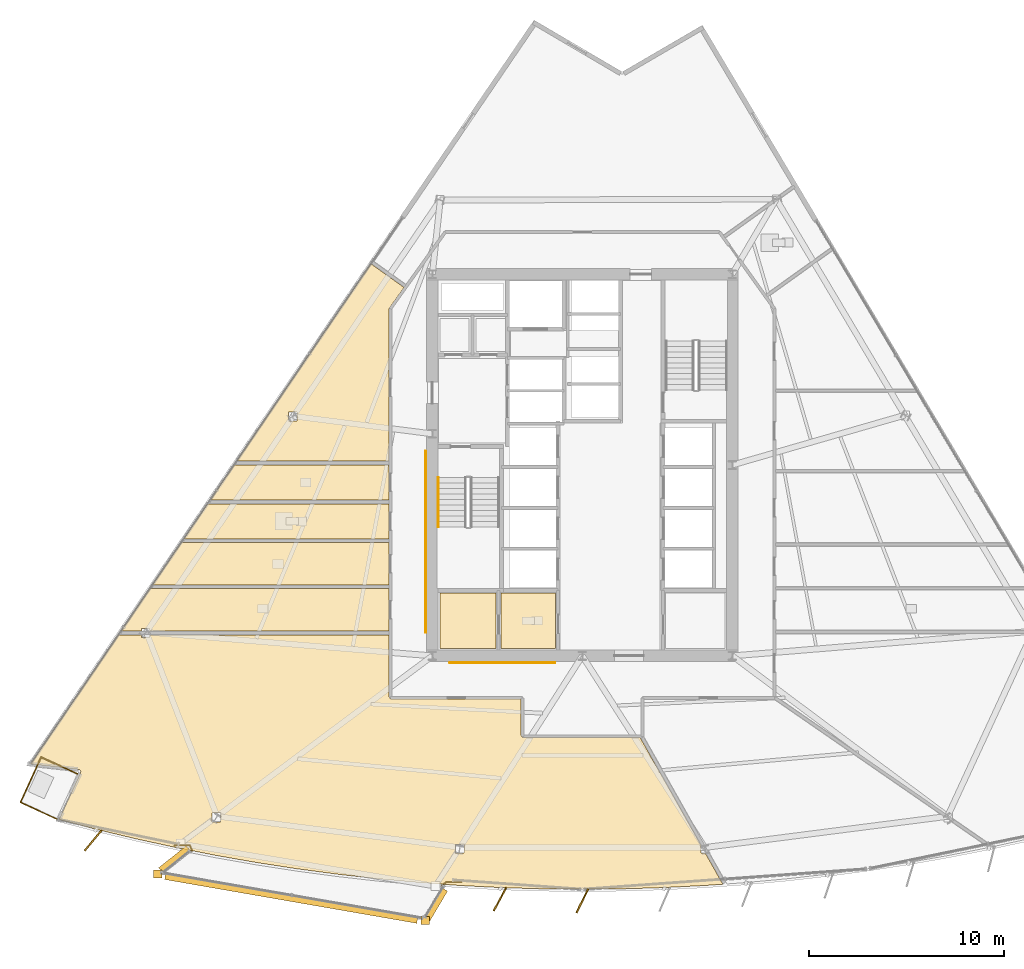
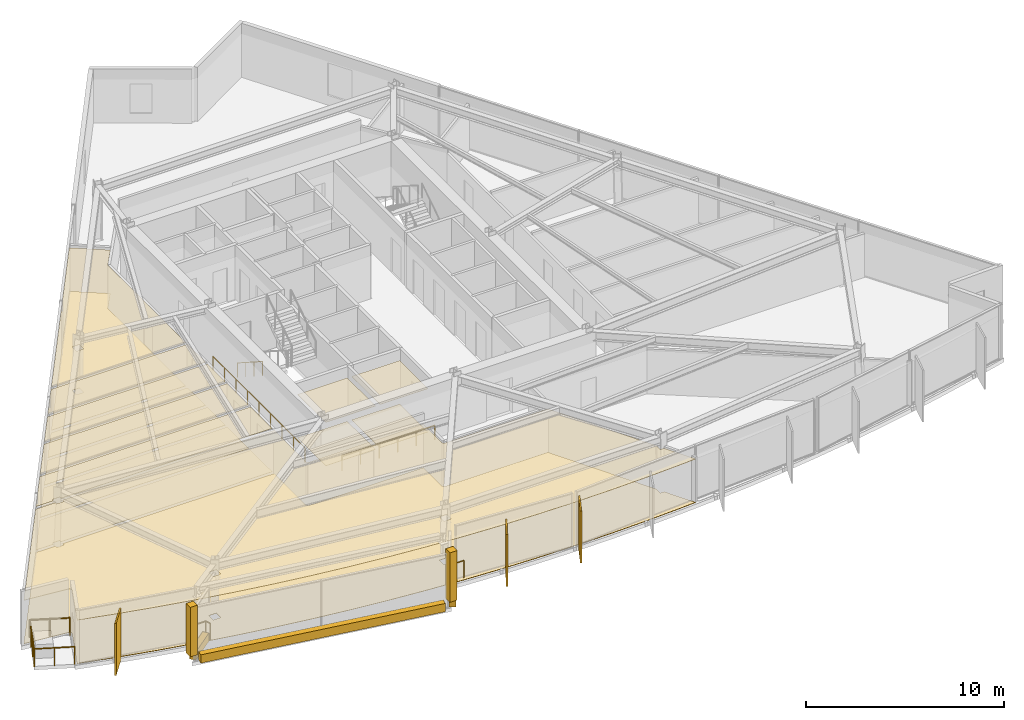
# One storey, part 11 of 15: 21 coverings, 8 railings, 3 shading devices.
"""IFC4 building model written with IfcOpenShell, lengths in metres."""

from ifc_helpers import new_model, si_unit, direction, frame, origin, origin_2d, place, context, subcontext, project, spatial, polyline, rectangle, circle, outline, extrude, material, layer, layer_set, type_object, element, save


model = new_model("IFC4")

# Units and contexts
model_context = context("Model", 3, precision=1e-05, world=origin(), true_north=direction((0.0, 1.0)))
body_context = subcontext(model_context, "Body", "Model", "MODEL_VIEW")
ifc_project = project(units=[si_unit("LENGTHUNIT", "METRE"), si_unit("AREAUNIT", "SQUARE_METRE"), si_unit("VOLUMEUNIT", "CUBIC_METRE"), si_unit("PLANEANGLEUNIT", "RADIAN"), si_unit("MASSUNIT", "GRAM", prefix="KILO")], contexts=[model_context])

# Site, building, storey
site_placement = place(None, origin())
site = spatial("IfcSite", under=ifc_project, at=site_placement, CompositionType="ELEMENT")
building_placement = place(site_placement, origin())
building = spatial("IfcBuilding", under=site, at=building_placement, Name="Savorim Split Tower", CompositionType="ELEMENT")
storey_placement = place(building_placement, frame((0.0, 0.0, 104.10009765625)))
storey = spatial("IfcBuildingStorey", under=building, at=storey_placement, Name="L27", CompositionType="ELEMENT", Elevation=104.10009765625)

# Coverings
ifc_material_1 = material(Name="Mineral Fibre Acoustic Ceiling")
ifc_layer_1 = layer(ifc_material_1, 0.02490234375)
ifc_layer_set_1 = layer_set([ifc_layer_1], Name="COV-CEIL-25")
covering_type_1 = type_object("IfcCoveringType", Name="COV-CEIL-25", PredefinedType="CEILING", material=ifc_layer_set_1)
covering_1_placement = place(storey_placement, frame((0.0, 0.0, 2.669921875)))
element("IfcCovering", 1, at=covering_1_placement, inside=storey, type_object=covering_type_1, Name="L27 Housekeeping Store Acoustic Ceiling", PredefinedType="CEILING", context=body_context, shape_type="SweptSolid", body=[
    extrude(outline(polyline([(-7.320068359375, -6.179931640625), (-7.320068359375, -9.02001953125), (-4.429931640625, -9.02001953125), (-4.429931640625, -6.179931640625), (-7.320068359375, -6.179931640625)])), origin(), (0.0, 0.0, 1.0), 0.02490234375),
])
covering_2_placement = place(storey_placement, frame((0.0, 0.0, 2.669921875)))
element("IfcCovering", 2, at=covering_2_placement, inside=storey, type_object=covering_type_1, Name="L27 Accessible WC Acoustic Ceiling", PredefinedType="CEILING", context=body_context, shape_type="SweptSolid", body=[
    extrude(outline(polyline([(-4.169921875, -6.179931640625), (-4.169921875, -9.02001953125), (-1.3798828125, -9.02001953125), (-1.3798828125, -6.179931640625), (-4.169921875, -6.179931640625)])), origin(), (0.0, 0.0, 1.0), 0.02490234375),
])
covering_3_placement = place(storey_placement, frame((0.0, 0.0, 2.669921875)))
element("IfcCovering", 3, at=covering_3_placement, inside=storey, type_object=covering_type_1, Name="L27 Shared Kitchen Acoustic Ceiling", PredefinedType="CEILING", context=body_context, shape_type="SweptSolid", body=[
    extrude(outline(polyline([(-17.876220703125, 0.407470703125), (-19.106201171875, -1.400634765625), (-9.919921875, -1.400634765625), (-9.919921875, 0.407470703125), (-17.876220703125, 0.407470703125)])), origin(), (0.0, 0.0, 1.0), 0.02490234375),
])
covering_4_placement = place(storey_placement, frame((0.0, 0.0, 2.669921875)))
element("IfcCovering", 4, at=covering_4_placement, inside=storey, type_object=covering_type_1, Name="L27 Shared Bathroom Acoustic Ceiling", PredefinedType="CEILING", context=body_context, shape_type="SweptSolid", body=[
    extrude(outline(polyline([(-19.2353515625, -1.5908203125), (-20.465576171875, -3.398681640625), (-9.919921875, -3.398681640625), (-9.919921875, -1.590576171875), (-19.2353515625, -1.5908203125)])), origin(), (0.0, 0.0, 1.0), 0.02490234375),
])
covering_5_placement = place(storey_placement, frame((0.0, 0.0, 2.669921875)))
element("IfcCovering", 5, at=covering_5_placement, inside=storey, type_object=covering_type_1, Name="L27 Community Laundry Room Acoustic Ceiling", PredefinedType="CEILING", context=body_context, shape_type="SweptSolid", body=[
    extrude(outline(polyline([(-20.5947265625, -3.5888671875), (-22.073486328125, -5.762451171875), (-9.919921875, -5.762451171875), (-9.919921875, -3.5888671875), (-20.5947265625, -3.5888671875)])), origin(), (0.0, 0.0, 1.0), 0.02490234375),
])
covering_6_placement = place(storey_placement, frame((0.0, 0.0, 2.669921875)))
element("IfcCovering", 6, at=covering_6_placement, inside=storey, type_object=covering_type_1, Name="L27 Community Laundry Room Acoustic Ceiling", PredefinedType="CEILING", context=body_context, shape_type="SweptSolid", body=[
    extrude(outline(polyline([(-22.216796875, -7.998779296875), (-22.216796875, -8.126220703125), (-9.919921875, -8.126220703125), (-9.919921875, -5.952392578125), (-22.20263671875, -5.952392578125), (-23.681396484375, -8.126220703125), (-22.645751953125, -8.126220703125), (-22.645751953125, -7.998779296875), (-22.216796875, -7.998779296875)])), origin(), (0.0, 0.0, 1.0), 0.02490234375),
])
covering_7_placement = place(storey_placement, frame((0.0, 0.0, 2.669921875)))
element("IfcCovering", 7, at=covering_7_placement, inside=storey, type_object=covering_type_1, Name="L27 Co-Working Commons Acoustic Ceiling", PredefinedType="CEILING", context=body_context, shape_type="SweptSolid", body=[
    extrude(outline(polyline([(-25.751953125, -15.339111328125), (-25.751708984375, -15.35107421875), (-25.752685546875, -15.36279296875), (-25.7548828125, -15.374755859375), (-25.758056640625, -15.385986328125), (-25.7626953125, -15.397216796875), (-26.867919921875, -17.80322265625), (-24.9716796875, -18.29931640625), (-22.927490234375, -18.789306640625), (-20.873779296875, -19.237548828125), (-18.8115234375, -19.6435546875), (-16.7412109375, -20.00732421875), (-14.6640625, -20.32861328125), (-12.58056640625, -20.607421875), (-10.49169921875, -20.843505859375), (-8.398681640625, -21.036865234375), (-6.302001953125, -21.187255859375), (-4.202880859375, -21.294921875), (-2.101806640625, -21.359375), (0.0, -21.380859375), (2.101806640625, -21.359375), (4.202880859375, -21.294921875), (6.302001953125, -21.187255859375), (7.21435546875, -21.121826171875), (6.313232421875, -19.5244140625), (6.08251953125, -19.5244140625), (6.08251953125, -19.114990234375), (2.983154296875, -13.6201171875), (2.96630859375, -13.590087890625), (-3.0, -13.590087890625), (-3.013671875, -13.58935546875), (-3.02734375, -13.58740234375), (-3.04052734375, -13.583984375), (-3.0537109375, -13.579345703125), (-3.06591796875, -13.573486328125), (-3.077880859375, -13.56640625), (-3.0888671875, -13.55810546875), (-3.09912109375, -13.549072265625), (-3.108154296875, -13.538818359375), (-3.116455078125, -13.52783203125), (-3.12353515625, -13.51611328125), (-3.12939453125, -13.503662109375), (-3.134033203125, -13.490478515625), (-3.13720703125, -13.477294921875), (-3.139404296875, -13.463623046875), (-3.139892578125, -13.449951171875), (-3.139892578125, -11.6201171875), (-9.780029296875, -11.6201171875), (-9.793701171875, -11.619384765625), (-9.807373046875, -11.6171875), (-9.820556640625, -11.614013671875), (-9.83349609375, -11.609375), (-9.845947265625, -11.603515625), (-9.85791015625, -11.596435546875), (-9.868896484375, -11.588134765625), (-9.87890625, -11.5791015625), (-9.88818359375, -11.56884765625), (-9.896484375, -11.557861328125), (-9.903564453125, -11.5458984375), (-9.9091796875, -11.53369140625), (-9.9140625, -11.5205078125), (-9.917236328125, -11.50732421875), (-9.919189453125, -11.49365234375), (-9.919921875, -11.47998046875), (-9.919921875, -8.31640625), (-22.216796875, -8.31640625), (-22.216796875, -8.44384765625), (-22.645751953125, -8.44384765625), (-22.645751953125, -8.31640625), (-23.685546875, -8.31640625), (-23.780517578125, -8.31640625), (-23.780517578125, -8.27197265625), (-28.3251953125, -14.952392578125), (-25.8583984375, -15.227783203125), (-25.846435546875, -15.229736328125), (-25.8349609375, -15.23291015625), (-25.82373046875, -15.237060546875), (-25.81298828125, -15.2421875), (-25.802978515625, -15.248779296875), (-25.79345703125, -15.256103515625), (-25.784912109375, -15.26416015625), (-25.777099609375, -15.273193359375), (-25.770263671875, -15.282958984375), (-25.764404296875, -15.293212890625), (-25.759521484375, -15.30419921875), (-25.755859375, -15.315673828125), (-25.75341796875, -15.3271484375), (-25.751953125, -15.339111328125)]), holes=[polyline([(-19.002685546875, -17.920654296875), (-18.57373046875, -17.920654296875), (-18.57373046875, -17.4755859375), (-19.002685546875, -17.4755859375), (-19.002685546875, -17.920654296875)]), polyline([(-6.511474609375, -19.5244140625), (-6.08251953125, -19.5244140625), (-6.08251953125, -19.079345703125), (-6.511474609375, -19.079345703125), (-6.511474609375, -19.5244140625)])]), origin(), (0.0, 0.0, 1.0), 0.02490234375),
])
covering_8_placement = place(storey_placement, frame((0.0, 0.0, 2.669921875)))
element("IfcCovering", 8, at=covering_8_placement, inside=storey, type_object=covering_type_1, Name="L27 Quiet Study Room Acoustic Ceiling", PredefinedType="CEILING", context=body_context, shape_type="SweptSolid", body=[
    extrude(outline(polyline([(-9.908203125, 8.456298828125), (-9.901611328125, 8.46923828125), (-9.893798828125, 8.4814453125), (-9.15283203125, 9.515625), (-10.851806640625, 10.73291015625), (-17.746826171875, 0.597412109375), (-9.919921875, 0.597412109375), (-9.919921875, 8.39990234375), (-9.919189453125, 8.41455078125), (-9.9169921875, 8.4287109375), (-9.913330078125, 8.44287109375), (-9.908203125, 8.456298828125)]), holes=[polyline([(-15.085693359375, 3.1142578125), (-15.085693359375, 2.669189453125), (-14.65673828125, 2.669189453125), (-14.65673828125, 3.1142578125), (-15.085693359375, 3.1142578125)])]), origin(), (0.0, 0.0, 1.0), 0.02490234375),
])
ifc_material_2 = material(Name="Porcelain Stoneware Flooring", Category="masonry")
ifc_layer_2 = layer(ifc_material_2, 0.02001953125)
ifc_layer_set_2 = layer_set([ifc_layer_2], Name="COV-FLOR-20")
covering_type_2 = type_object("IfcCoveringType", Name="COV-FLOR-20", PredefinedType="FLOORING", material=ifc_layer_set_2)
covering_9_placement = place(storey_placement, origin())
element("IfcCovering", 9, at=covering_9_placement, inside=storey, type_object=covering_type_2, Name="L27 Housekeeping Store Porcelain Flooring", PredefinedType="FLOORING", context=body_context, shape_type="SweptSolid", body=[
    extrude(outline(polyline([(-7.320068359375, -6.179931640625), (-7.320068359375, -9.02001953125), (-4.429931640625, -9.02001953125), (-4.429931640625, -6.179931640625), (-7.320068359375, -6.179931640625)])), origin(), (0.0, 0.0, 1.0), 0.02001953125),
])
covering_10_placement = place(storey_placement, origin())
element("IfcCovering", 10, at=covering_10_placement, inside=storey, type_object=covering_type_2, Name="L27 Accessible WC Porcelain Flooring", PredefinedType="FLOORING", context=body_context, shape_type="SweptSolid", body=[
    extrude(outline(polyline([(-4.169921875, -6.179931640625), (-4.169921875, -9.02001953125), (-1.3798828125, -9.02001953125), (-1.3798828125, -6.179931640625), (-4.169921875, -6.179931640625)])), origin(), (0.0, 0.0, 1.0), 0.02001953125),
])
covering_11_placement = place(storey_placement, origin())
element("IfcCovering", 11, at=covering_11_placement, inside=storey, type_object=covering_type_2, Name="L27 Shared Kitchen Porcelain Flooring", PredefinedType="FLOORING", context=body_context, shape_type="SweptSolid", body=[
    extrude(outline(polyline([(-17.876220703125, 0.407470703125), (-19.106201171875, -1.400634765625), (-9.919921875, -1.400634765625), (-9.919921875, 0.407470703125), (-17.876220703125, 0.407470703125)])), origin(), (0.0, 0.0, 1.0), 0.02001953125),
])
covering_12_placement = place(storey_placement, origin())
element("IfcCovering", 12, at=covering_12_placement, inside=storey, type_object=covering_type_2, Name="L27 Shared Bathroom Porcelain Flooring", PredefinedType="FLOORING", context=body_context, shape_type="SweptSolid", body=[
    extrude(outline(polyline([(-19.2353515625, -1.5908203125), (-20.465576171875, -3.398681640625), (-9.919921875, -3.398681640625), (-9.919921875, -1.590576171875), (-19.2353515625, -1.5908203125)])), origin(), (0.0, 0.0, 1.0), 0.02001953125),
])
covering_13_placement = place(storey_placement, origin())
element("IfcCovering", 13, at=covering_13_placement, inside=storey, type_object=covering_type_2, Name="L27 Community Laundry Room Porcelain Flooring", PredefinedType="FLOORING", context=body_context, shape_type="SweptSolid", body=[
    extrude(outline(polyline([(-20.5947265625, -3.5888671875), (-22.073486328125, -5.762451171875), (-9.919921875, -5.762451171875), (-9.919921875, -3.5888671875), (-20.5947265625, -3.5888671875)])), origin(), (0.0, 0.0, 1.0), 0.02001953125),
])
covering_14_placement = place(storey_placement, origin())
element("IfcCovering", 14, at=covering_14_placement, inside=storey, type_object=covering_type_2, Name="L27 Community Laundry Room Porcelain Flooring", PredefinedType="FLOORING", context=body_context, shape_type="SweptSolid", body=[
    extrude(outline(polyline([(-22.216796875, -7.998779296875), (-22.216796875, -8.126220703125), (-9.919921875, -8.126220703125), (-9.919921875, -5.952392578125), (-22.20263671875, -5.952392578125), (-23.681396484375, -8.126220703125), (-22.645751953125, -8.126220703125), (-22.645751953125, -7.998779296875), (-22.216796875, -7.998779296875)])), origin(), (0.0, 0.0, 1.0), 0.02001953125),
])
covering_15_placement = place(storey_placement, origin())
element("IfcCovering", 15, at=covering_15_placement, inside=storey, type_object=covering_type_2, Name="L27 Co-Working Commons Porcelain Flooring", PredefinedType="FLOORING", context=body_context, shape_type="SweptSolid", body=[
    extrude(outline(polyline([(-25.751953125, -15.339111328125), (-25.751708984375, -15.35107421875), (-25.752685546875, -15.36279296875), (-25.7548828125, -15.374755859375), (-25.758056640625, -15.385986328125), (-25.7626953125, -15.397216796875), (-26.867919921875, -17.80322265625), (-24.9716796875, -18.29931640625), (-22.927490234375, -18.789306640625), (-20.873779296875, -19.237548828125), (-18.8115234375, -19.6435546875), (-16.7412109375, -20.00732421875), (-14.6640625, -20.32861328125), (-12.58056640625, -20.607421875), (-10.49169921875, -20.843505859375), (-8.398681640625, -21.036865234375), (-6.302001953125, -21.187255859375), (-4.202880859375, -21.294921875), (-2.101806640625, -21.359375), (0.0, -21.380859375), (2.101806640625, -21.359375), (4.202880859375, -21.294921875), (6.302001953125, -21.187255859375), (7.21435546875, -21.121826171875), (6.313232421875, -19.5244140625), (6.08251953125, -19.5244140625), (6.08251953125, -19.114990234375), (2.983154296875, -13.6201171875), (2.96630859375, -13.590087890625), (-3.0, -13.590087890625), (-3.013671875, -13.58935546875), (-3.02734375, -13.58740234375), (-3.04052734375, -13.583984375), (-3.0537109375, -13.579345703125), (-3.06591796875, -13.573486328125), (-3.077880859375, -13.56640625), (-3.0888671875, -13.55810546875), (-3.09912109375, -13.549072265625), (-3.108154296875, -13.538818359375), (-3.116455078125, -13.52783203125), (-3.12353515625, -13.51611328125), (-3.12939453125, -13.503662109375), (-3.134033203125, -13.490478515625), (-3.13720703125, -13.477294921875), (-3.139404296875, -13.463623046875), (-3.139892578125, -13.449951171875), (-3.139892578125, -11.6201171875), (-9.780029296875, -11.6201171875), (-9.793701171875, -11.619384765625), (-9.807373046875, -11.6171875), (-9.820556640625, -11.614013671875), (-9.83349609375, -11.609375), (-9.845947265625, -11.603515625), (-9.85791015625, -11.596435546875), (-9.868896484375, -11.588134765625), (-9.87890625, -11.5791015625), (-9.88818359375, -11.56884765625), (-9.896484375, -11.557861328125), (-9.903564453125, -11.5458984375), (-9.9091796875, -11.53369140625), (-9.9140625, -11.5205078125), (-9.917236328125, -11.50732421875), (-9.919189453125, -11.49365234375), (-9.919921875, -11.47998046875), (-9.919921875, -8.31640625), (-22.216796875, -8.31640625), (-22.216796875, -8.44384765625), (-22.645751953125, -8.44384765625), (-22.645751953125, -8.31640625), (-23.685546875, -8.31640625), (-23.780517578125, -8.31640625), (-23.780517578125, -8.27197265625), (-28.3251953125, -14.952392578125), (-25.8583984375, -15.227783203125), (-25.846435546875, -15.229736328125), (-25.8349609375, -15.23291015625), (-25.82373046875, -15.237060546875), (-25.81298828125, -15.2421875), (-25.802978515625, -15.248779296875), (-25.79345703125, -15.256103515625), (-25.784912109375, -15.26416015625), (-25.777099609375, -15.273193359375), (-25.770263671875, -15.282958984375), (-25.764404296875, -15.293212890625), (-25.759521484375, -15.30419921875), (-25.755859375, -15.315673828125), (-25.75341796875, -15.3271484375), (-25.751953125, -15.339111328125)]), holes=[polyline([(-19.002685546875, -17.920654296875), (-18.57373046875, -17.920654296875), (-18.57373046875, -17.4755859375), (-19.002685546875, -17.4755859375), (-19.002685546875, -17.920654296875)]), polyline([(-6.511474609375, -19.5244140625), (-6.08251953125, -19.5244140625), (-6.08251953125, -19.079345703125), (-6.511474609375, -19.079345703125), (-6.511474609375, -19.5244140625)])]), origin(), (0.0, 0.0, 1.0), 0.02001953125),
])
covering_16_placement = place(storey_placement, origin())
element("IfcCovering", 16, at=covering_16_placement, inside=storey, type_object=covering_type_2, Name="L27 Quiet Study Room Porcelain Flooring", PredefinedType="FLOORING", context=body_context, shape_type="SweptSolid", body=[
    extrude(outline(polyline([(-9.908203125, 8.456298828125), (-9.901611328125, 8.46923828125), (-9.893798828125, 8.4814453125), (-9.15283203125, 9.515625), (-10.851806640625, 10.73291015625), (-17.746826171875, 0.597412109375), (-9.919921875, 0.597412109375), (-9.919921875, 8.39990234375), (-9.919189453125, 8.41455078125), (-9.9169921875, 8.4287109375), (-9.913330078125, 8.44287109375), (-9.908203125, 8.456298828125)]), holes=[polyline([(-15.085693359375, 3.1142578125), (-15.085693359375, 2.669189453125), (-14.65673828125, 2.669189453125), (-14.65673828125, 3.1142578125), (-15.085693359375, 3.1142578125)])]), origin(), (0.0, 0.0, 1.0), 0.02001953125),
])
ifc_material_3 = material(Name="White Porcelain Architectural Cladding")
ifc_layer_3 = layer(ifc_material_3, 0.139892578125)
ifc_layer_set_3 = layer_set([ifc_layer_3], Name="COV-FRM-WHITE")
covering_type_3 = type_object("IfcCoveringType", Name="COV-FRM-WHITE", PredefinedType="CLADDING", material=ifc_layer_set_3)
covering_17_placement = place(storey_placement, frame((0.0, 0.0, 0.010009765625)))
element("IfcCovering", 17, at=covering_17_placement, inside=storey, type_object=covering_type_3, Name="L27 Cantilevered Lounge White Lower Frame Band W", PredefinedType="CLADDING", context=body_context, shape_type="SweptSolid", body=[
    extrude(outline(polyline([(-20.34033203125, -19.155517578125), (-21.75, -20.27490234375), (-21.53857421875, -20.541259765625), (-20.12890625, -19.421875), (-20.34033203125, -19.155517578125)])), origin(), (0.0, 0.0, 1.0), 0.510009765625),
])
covering_18_placement = place(storey_placement, frame((0.0, 0.0, 0.010009765625)))
element("IfcCovering", 18, at=covering_18_placement, inside=storey, type_object=covering_type_3, Name="L27 Cantilevered Lounge White Lower Frame Band F", PredefinedType="CLADDING", context=body_context, shape_type="SweptSolid", body=[
    extrude(outline(polyline([(-21.44482421875, -20.8818359375), (-8.500732421875, -23.130859375), (-8.4423828125, -22.7958984375), (-21.38671875, -20.546875), (-21.44482421875, -20.8818359375)])), origin(), (0.0, 0.0, 1.0), 0.510009765625),
])
covering_19_placement = place(storey_placement, frame((0.0, 0.0, 0.010009765625)))
element("IfcCovering", 19, at=covering_19_placement, inside=storey, type_object=covering_type_3, Name="L27 Cantilevered Lounge White Lower Frame Band E", PredefinedType="CLADDING", context=body_context, shape_type="SweptSolid", body=[
    extrude(outline(polyline([(-7.8388671875, -23.026123046875), (-6.919677734375, -21.478759765625), (-7.2119140625, -21.304931640625), (-8.131103515625, -22.8525390625), (-7.8388671875, -23.026123046875)])), origin(), (0.0, 0.0, 1.0), 0.510009765625),
])
covering_20_placement = place(storey_placement, frame((0.0, 0.0, 0.539794921875)))
element("IfcCovering", 20, at=covering_20_placement, inside=storey, type_object=covering_type_3, Name="L27 Cantilevered Lounge White Frame Corner Post 1", PredefinedType="CLADDING", context=body_context, shape_type="SweptSolid", body=[
    extrude(outline(polyline([(-22.01123046875, -20.806396484375), (-21.59130859375, -20.806396484375), (-21.59130859375, -20.386474609375), (-22.01123046875, -20.386474609375), (-22.01123046875, -20.806396484375)])), origin(), (0.0, 0.0, 1.0), 3.050048828125),
])
covering_21_placement = place(storey_placement, frame((0.0, 0.0, 0.539794921875)))
element("IfcCovering", 21, at=covering_21_placement, inside=storey, type_object=covering_type_3, Name="L27 Cantilevered Lounge White Frame Corner Post 2", PredefinedType="CLADDING", context=body_context, shape_type="SweptSolid", body=[
    extrude(outline(polyline([(-8.27880859375, -23.192626953125), (-7.85888671875, -23.192626953125), (-7.85888671875, -22.772705078125), (-8.27880859375, -22.772705078125), (-8.27880859375, -23.192626953125)])), origin(), (0.0, 0.0, 1.0), 3.050048828125),
])

# Railings
ifc_material_4 = material(Name="Galvanised Painted Steel Balustrade", Category="steel")
railing_type_1 = type_object("IfcRailingType", Name="RLG-BAL-1100", PredefinedType="BALUSTRADE", material=ifc_material_4)
railing_1_placement = place(storey_placement, frame((-20.9208984375, -19.128173828125, 0.0)))
element("IfcRailing", 22, at=railing_1_placement, inside=storey, type_object=railing_type_1, Name="L27 Cantilevered Lounge West Edge Closure Guard", PredefinedType="BALUSTRADE", context=body_context, shape_type="SweptSolid", body=[
    extrude(circle(Radius=0.02392578125, at=origin_2d()), frame((0.0, 0.0, 1.076171875), z_axis=(1.0, 0.0, 0.0), x_axis=(0.0, 1.0, 0.0)), (0.0, 0.0, 1.0), 0.780029296875),
    extrude(circle(Radius=0.02392578125, at=origin_2d()), frame((0.780029296875, 0.0, 1.076171875), z_axis=(0.336493515152, -0.941685783189, 0.0), x_axis=(0.941685783189, 0.336493515152, 0.0)), (0.0, 0.0, 1.0), 0.29541015625),
    extrude(circle(Radius=0.02099609375, at=origin_2d()), origin(), (0.0, 0.0, 1.0), 1.052001953125),
    extrude(circle(Radius=0.02099609375, at=origin_2d()), frame((0.780029296875, 0.0, 0.0)), (0.0, 0.0, 1.0), 1.052001953125),
    extrude(circle(Radius=0.02099609375, at=origin_2d()), frame((0.87939453125, -0.278076171875, 0.0)), (0.0, 0.0, 1.0), 1.052001953125),
])
railing_2_placement = place(storey_placement, frame((-7.212890625, -21.177734375, 0.0)))
element("IfcRailing", 23, at=railing_2_placement, inside=storey, type_object=railing_type_1, Name="L27 Cantilevered Lounge East Edge Closure Guard", PredefinedType="BALUSTRADE", context=body_context, shape_type="SweptSolid", body=[
    extrude(circle(Radius=0.02392578125, at=origin_2d()), frame((0.0, 0.0, 1.076171875), z_axis=(0.804032223683, 0.59458572408, 0.0), x_axis=(-0.59458572408, 0.804032223683, 0.0)), (0.0, 0.0, 1.0), 0.281982421875),
    extrude(circle(Radius=0.02392578125, at=origin_2d()), frame((0.226806640625, 0.167724609375, 1.076171875), z_axis=(1.0, 0.0, 0.0), x_axis=(0.0, 1.0, 0.0)), (0.0, 0.0, 1.0), 0.780029296875),
    extrude(circle(Radius=0.02099609375, at=origin_2d()), origin(), (0.0, 0.0, 1.0), 1.052001953125),
    extrude(circle(Radius=0.02099609375, at=origin_2d()), frame((0.226806640625, 0.167724609375, 0.0)), (0.0, 0.0, 1.0), 1.052001953125),
    extrude(circle(Radius=0.02099609375, at=origin_2d()), frame((1.0068359375, 0.167724609375, 0.0)), (0.0, 0.0, 1.0), 1.052001953125),
])
railing_3_placement = place(storey_placement, frame((-26.98681640625, -17.774169921875, 0.0)))
element("IfcRailing", 24, at=railing_3_placement, inside=storey, type_object=railing_type_1, Name="L27 Tree Balcony Guardrail SW-1", PredefinedType="BALUSTRADE", context=body_context, shape_type="SweptSolid", body=[
    extrude(circle(Radius=0.02392578125, at=origin_2d()), frame((0.0, 0.0, 1.076171875), z_axis=(-0.908662190505, 0.417532062898, 0.0), x_axis=(-0.417532062898, -0.908662190505, 0.0)), (0.0, 0.0, 1.0), 2.050048828125),
    extrude(circle(Radius=0.02099609375, at=origin_2d()), origin(), (0.0, 0.0, 1.0), 1.052001953125),
    extrude(circle(Radius=0.02099609375, at=origin_2d()), frame((-0.931396484375, 0.427978515625, 0.0)), (0.0, 0.0, 1.0), 1.052001953125),
    extrude(circle(Radius=0.02099609375, at=origin_2d()), frame((-1.86279296875, 0.85595703125, 0.0)), (0.0, 0.0, 1.0), 1.052001953125),
])
railing_4_placement = place(storey_placement, frame((-28.849609375, -16.918212890625, 0.0)))
element("IfcRailing", 25, at=railing_4_placement, inside=storey, type_object=railing_type_1, Name="L27 Tree Balcony Guardrail SW-2", PredefinedType="BALUSTRADE", context=body_context, shape_type="SweptSolid", body=[
    extrude(circle(Radius=0.02392578125, at=origin_2d()), frame((0.0, 0.0, 1.076171875), z_axis=(0.417534341192, 0.90866114362, 0.0), x_axis=(-0.90866114362, 0.417534341192, 0.0)), (0.0, 0.0, 1.0), 2.551025390625),
    extrude(circle(Radius=0.02099609375, at=origin_2d()), origin(), (0.0, 0.0, 1.0), 1.052001953125),
    extrude(circle(Radius=0.02099609375, at=origin_2d()), frame((0.35498046875, 0.772705078125, 0.0)), (0.0, 0.0, 1.0), 1.052001953125),
    extrude(circle(Radius=0.02099609375, at=origin_2d()), frame((0.710205078125, 1.54541015625, 0.0)), (0.0, 0.0, 1.0), 1.052001953125),
    extrude(circle(Radius=0.02099609375, at=origin_2d()), frame((1.065185546875, 2.318115234375, 0.0)), (0.0, 0.0, 1.0), 1.052001953125),
])
railing_5_placement = place(storey_placement, frame((-27.784423828125, -14.60009765625, 0.0)))
element("IfcRailing", 26, at=railing_5_placement, inside=storey, type_object=railing_type_1, Name="L27 Tree Balcony Guardrail SW-3", PredefinedType="BALUSTRADE", context=body_context, shape_type="SweptSolid", body=[
    extrude(circle(Radius=0.02392578125, at=origin_2d()), frame((0.0, 0.0, 1.076171875), z_axis=(0.908662190505, -0.417532062898, 0.0), x_axis=(0.417532062898, 0.908662190505, 0.0)), (0.0, 0.0, 1.0), 2.050048828125),
    extrude(circle(Radius=0.02099609375, at=origin_2d()), origin(), (0.0, 0.0, 1.0), 1.052001953125),
    extrude(circle(Radius=0.02099609375, at=origin_2d()), frame((0.931396484375, -0.427978515625, 0.0)), (0.0, 0.0, 1.0), 1.052001953125),
    extrude(circle(Radius=0.02099609375, at=origin_2d()), frame((1.86279296875, -0.85595703125, 0.0)), (0.0, 0.0, 1.0), 1.052001953125),
])
railing_type_2 = type_object("IfcRailingType", Name="RLG-HR-900", PredefinedType="HANDRAIL", material=ifc_material_4)
railing_6_placement = place(storey_placement, frame((-7.39990234375, -0.25, 0.179931640625)))
element("IfcRailing", 27, at=railing_6_placement, inside=storey, type_object=railing_type_2, Name="L27 ST-1 stair handrail 1", PredefinedType="HANDRAIL", context=body_context, shape_type="SweptSolid", body=[
    extrude(circle(Radius=0.02392578125, at=origin_2d()), frame((0.0, 0.0, 0.8759765625), z_axis=(0.0, -0.841199657755, 0.540724639528), x_axis=(1.0, 0.0, 0.0)), (0.0, 0.0, 1.0), 2.995849609375),
    extrude(circle(Radius=0.02099609375, at=origin_2d()), origin(), (0.0, 0.0, 1.0), 0.851806640625),
    extrude(circle(Radius=0.02099609375, at=origin_2d()), frame((0.0, -0.840087890625, 0.5400390625)), (0.0, 0.0, 1.0), 0.851806640625),
    extrude(circle(Radius=0.02099609375, at=origin_2d()), frame((0.0, -1.679931640625, 1.079833984375)), (0.0, 0.0, 1.0), 0.851806640625),
    extrude(circle(Radius=0.02099609375, at=origin_2d()), frame((0.0, -2.52001953125, 1.619873046875)), (0.0, 0.0, 1.0), 0.851806640625),
])
railing_7_placement = place(storey_placement, frame((-6.800048828125, -9.75, 0.0)))
element("IfcRailing", 28, at=railing_7_placement, inside=storey, type_object=railing_type_2, Name="L27 Corridor South Accessible Handrail", PredefinedType="HANDRAIL", context=body_context, shape_type="SweptSolid", body=[
    extrude(circle(Radius=0.02392578125, at=origin_2d()), frame((0.0, 0.0, 0.8759765625), z_axis=(1.0, 0.0, 0.0), x_axis=(0.0, 1.0, 0.0)), (0.0, 0.0, 1.0), 5.400146484375),
    extrude(circle(Radius=0.02099609375, at=origin_2d()), origin(), (0.0, 0.0, 1.0), 0.851806640625),
    extrude(circle(Radius=0.02099609375, at=origin_2d()), frame((1.080078125, 0.0, 0.0)), (0.0, 0.0, 1.0), 0.851806640625),
    extrude(circle(Radius=0.02099609375, at=origin_2d()), frame((2.16015625, 0.0, 0.0)), (0.0, 0.0, 1.0), 0.851806640625),
    extrude(circle(Radius=0.02099609375, at=origin_2d()), frame((3.239990234375, 0.0, 0.0)), (0.0, 0.0, 1.0), 0.851806640625),
    extrude(circle(Radius=0.02099609375, at=origin_2d()), frame((4.320068359375, 0.0, 0.0)), (0.0, 0.0, 1.0), 0.851806640625),
    extrude(circle(Radius=0.02099609375, at=origin_2d()), frame((5.400146484375, 0.0, 0.0)), (0.0, 0.0, 1.0), 0.851806640625),
])
railing_8_placement = place(storey_placement, frame((-8.050048828125, -8.199951171875, 0.0)))
element("IfcRailing", 29, at=railing_8_placement, inside=storey, type_object=railing_type_2, Name="L27 Corridor West Accessible Handrail", PredefinedType="HANDRAIL", context=body_context, shape_type="SweptSolid", body=[
    extrude(circle(Radius=0.02392578125, at=origin_2d()), frame((0.0, 0.0, 0.8759765625), z_axis=(0.0, 1.0, 0.0), x_axis=(-1.0, 0.0, 0.0)), (0.0, 0.0, 1.0), 9.300048828125),
    extrude(circle(Radius=0.02099609375, at=origin_2d()), origin(), (0.0, 0.0, 1.0), 0.851806640625),
    extrude(circle(Radius=0.02099609375, at=origin_2d()), frame((0.0, 1.16259765625, 0.0)), (0.0, 0.0, 1.0), 0.851806640625),
    extrude(circle(Radius=0.02099609375, at=origin_2d()), frame((0.0, 2.324951171875, 0.0)), (0.0, 0.0, 1.0), 0.851806640625),
    extrude(circle(Radius=0.02099609375, at=origin_2d()), frame((0.0, 3.487548828125, 0.0)), (0.0, 0.0, 1.0), 0.851806640625),
    extrude(circle(Radius=0.02099609375, at=origin_2d()), frame((0.0, 4.64990234375, 0.0)), (0.0, 0.0, 1.0), 0.851806640625),
    extrude(circle(Radius=0.02099609375, at=origin_2d()), frame((0.0, 5.8125, 0.0)), (0.0, 0.0, 1.0), 0.851806640625),
    extrude(circle(Radius=0.02099609375, at=origin_2d()), frame((0.0, 6.97509765625, 0.0)), (0.0, 0.0, 1.0), 0.851806640625),
    extrude(circle(Radius=0.02099609375, at=origin_2d()), frame((0.0, 8.137451171875, 0.0)), (0.0, 0.0, 1.0), 0.851806640625),
    extrude(circle(Radius=0.02099609375, at=origin_2d()), frame((0.0, 9.300048828125, 0.0)), (0.0, 0.0, 1.0), 0.851806640625),
])

# Shading devices
ifc_material_5 = material(Name="Terracotta Ceramic-Coated Aluminium Fin", Category="masonry")
shading_device_type = type_object("IfcShadingDeviceType", Name="SHD-FIN-1360", PredefinedType="USERDEFINED", material=ifc_material_5)
for number, where, z_axis, x_axis, name in (
    (30, (-25.116455078125, -18.87744140625, -0.2001953125), (0.0, 0.0, 1.0), (-0.643719022682, -0.765261928909, 0.0), "L27 Sawtooth Shading Fin 01"),
    (31, (-4.227294921875, -21.890380859375, -0.2001953125), (0.0, 0.0, 1.0), (-0.474778051978, -0.880105562623, 0.0), "L27 Sawtooth Shading Fin 06"),
    (32, (0.0, -21.976806640625, -0.2001953125), (0.0, 0.0, 1.0), (-0.438371146789, -0.898794046299, 0.0), "L27 Sawtooth Shading Fin 07"),
):
    element("IfcShadingDevice", number, at=place(storey_placement, frame(where, z_axis=z_axis, x_axis=x_axis)), inside=storey, type_object=shading_device_type, Name=name, ObjectType="FIN", PredefinedType="USERDEFINED", context=body_context, shape_type="SweptSolid", body=[
        extrude(rectangle(XDim=1.360107421875, YDim=0.080078125, at=origin_2d()), origin(), (0.0, 0.0, 1.0), 3.199951171875),
    ])

save(model, "model.ifc")
